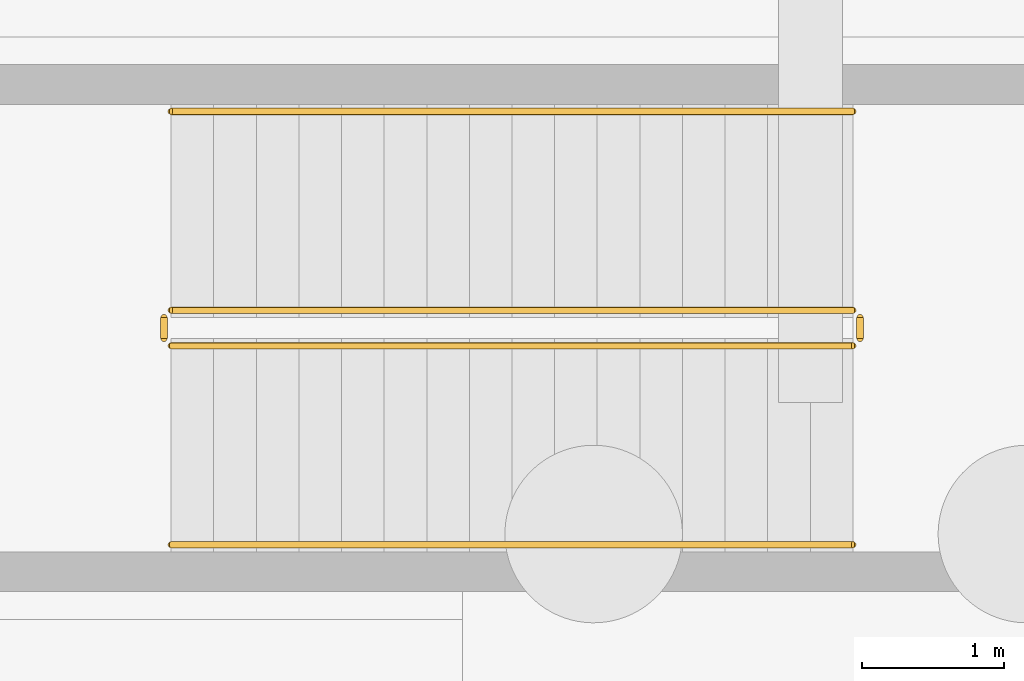
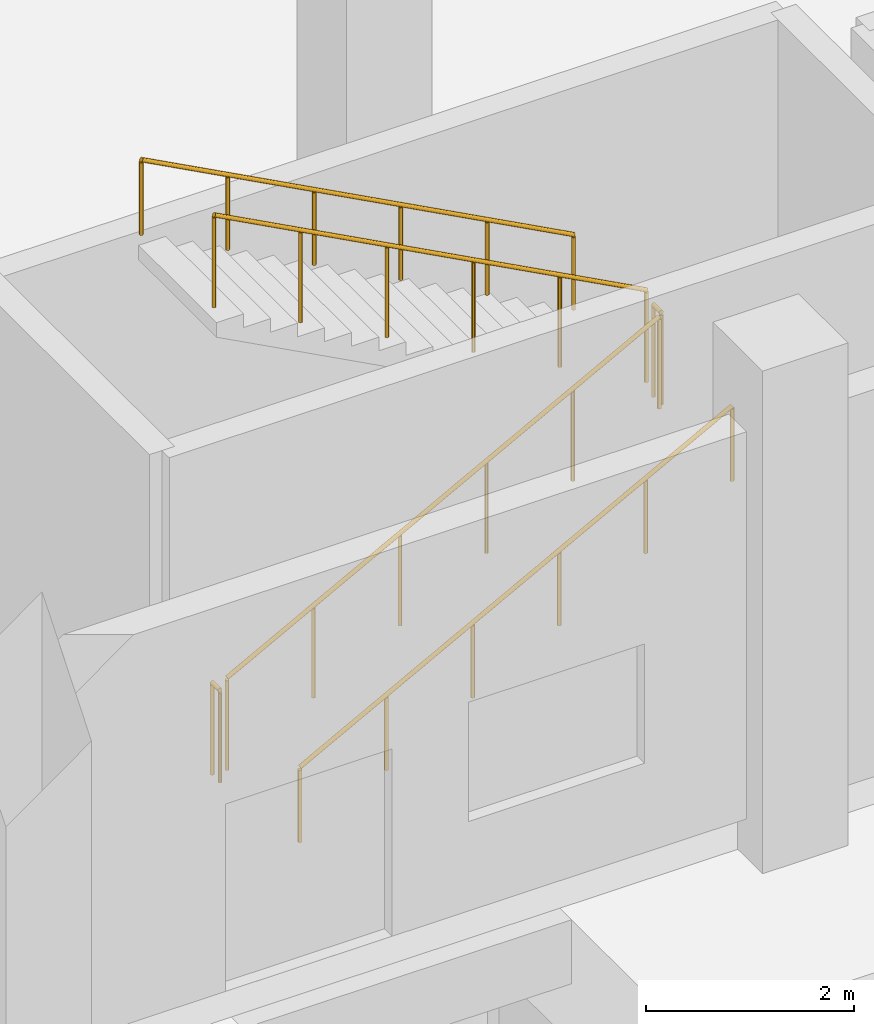
# One storey, part 79 of 83: 6 railings.
"""IFC4 building model written with IfcOpenShell, lengths in metres."""

from ifc_helpers import new_model, si_unit, direction, frame, origin, origin_2d, place, context, subcontext, project, spatial, circle, extrude, material, type_object, element, save


model = new_model("IFC4")

# Units and contexts
model_context = context("Model", 3, precision=1e-05, world=origin(), true_north=direction((0.0, 1.0)))
body_context = subcontext(model_context, "Body", "Model", "MODEL_VIEW")
ifc_project = project(units=[si_unit("LENGTHUNIT", "METRE"), si_unit("AREAUNIT", "SQUARE_METRE"), si_unit("VOLUMEUNIT", "CUBIC_METRE"), si_unit("PLANEANGLEUNIT", "RADIAN"), si_unit("MASSUNIT", "GRAM", prefix="KILO"), si_unit("THERMODYNAMICTEMPERATUREUNIT", "KELVIN"), si_unit("POWERUNIT", "WATT")], contexts=[model_context])

# Site, building, storey
site_placement = place(None, origin())
site = spatial("IfcSite", under=ifc_project, at=site_placement, CompositionType="ELEMENT")
building_placement = place(site_placement, origin())
building = spatial("IfcBuilding", under=site, at=building_placement, Name="Mavoryth Pier Ferry Terminal", CompositionType="ELEMENT")
storey_placement = place(building_placement, origin())
storey = spatial("IfcBuildingStorey", under=building, at=storey_placement, Name="L00", CompositionType="ELEMENT", Elevation=0.0)

# Railings
ifc_material_1 = material(Name="Painted Galvanised Steel Balustrade", Category="steel")
railing_type_1 = type_object("IfcRailingType", Name="Guard-Stair-Steel1100", PredefinedType="GUARDRAIL", material=ifc_material_1)
railing_1_placement = place(storey_placement, frame((138.300048828125, 16.85009765625, 0.159912109375)))
element("IfcRailing", 1, at=railing_1_placement, inside=storey, type_object=railing_type_1, Name="L00 ST09 stair guard 1", PredefinedType="GUARDRAIL", context=body_context, shape_type="SweptSolid", body=[
    extrude(circle(Radius=0.02392578125, at=origin_2d()), frame((0.0, 0.0, 1.076171875), z_axis=(0.882350456557, 0.0, 0.470592893925), x_axis=(0.0, 1.0, 0.0)), (0.0, 0.0, 1.0), 5.440185546875),
    extrude(circle(Radius=0.02099609375, at=origin_2d()), origin(), (0.0, 0.0, 1.0), 1.052001953125),
    extrude(circle(Radius=0.02099609375, at=origin_2d()), frame((0.9599609375, 0.0, 0.511962890625)), (0.0, 0.0, 1.0), 1.052001953125),
    extrude(circle(Radius=0.02099609375, at=origin_2d()), frame((1.919921875, 0.0, 1.02392578125)), (0.0, 0.0, 1.0), 1.052001953125),
    extrude(circle(Radius=0.02099609375, at=origin_2d()), frame((2.880126953125, 0.0, 1.5361328125)), (0.0, 0.0, 1.0), 1.052001953125),
    extrude(circle(Radius=0.02099609375, at=origin_2d()), frame((3.840087890625, 0.0, 2.048095703125)), (0.0, 0.0, 1.0), 1.052001953125),
    extrude(circle(Radius=0.02099609375, at=origin_2d()), frame((4.800048828125, 0.0, 2.56005859375)), (0.0, 0.0, 1.0), 1.052001953125),
])
railing_2_placement = place(storey_placement, frame((143.14990234375, 16.89990234375, 2.719970703125)))
element("IfcRailing", 2, at=railing_2_placement, inside=storey, type_object=railing_type_1, Name="L00 ST09 stair guard 2", PredefinedType="GUARDRAIL", context=body_context, shape_type="SweptSolid", body=[
    extrude(circle(Radius=0.02392578125, at=origin_2d()), frame((0.0, 0.0, 1.076171875), z_axis=(0.0, 1.0, 0.0), x_axis=(-1.0, 0.0, 0.0)), (0.0, 0.0, 1.0), 0.150146484375),
    extrude(circle(Radius=0.02099609375, at=origin_2d()), origin(), (0.0, 0.0, 1.0), 1.052001953125),
    extrude(circle(Radius=0.02099609375, at=origin_2d()), frame((0.0, 0.150146484375, 0.0)), (0.0, 0.0, 1.0), 1.052001953125),
])
railing_3_placement = place(storey_placement, frame((143.10009765625, 17.10009765625, 2.8798828125)))
element("IfcRailing", 3, at=railing_3_placement, inside=storey, type_object=railing_type_1, Name="L00 ST09 stair guard 3", PredefinedType="GUARDRAIL", context=body_context, shape_type="SweptSolid", body=[
    extrude(circle(Radius=0.02392578125, at=origin_2d()), frame((0.0, 0.0, 1.076171875), z_axis=(-0.882350456557, 0.0, 0.470592893925), x_axis=(0.0, -1.0, 0.0)), (0.0, 0.0, 1.0), 5.440185546875),
    extrude(circle(Radius=0.02099609375, at=origin_2d()), origin(), (0.0, 0.0, 1.0), 1.052001953125),
    extrude(circle(Radius=0.02099609375, at=origin_2d()), frame((-0.9599609375, 0.0, 0.511962890625)), (0.0, 0.0, 1.0), 1.052001953125),
    extrude(circle(Radius=0.02099609375, at=origin_2d()), frame((-1.919921875, 0.0, 1.02392578125)), (0.0, 0.0, 1.0), 1.052001953125),
    extrude(circle(Radius=0.02099609375, at=origin_2d()), frame((-2.880126953125, 0.0, 1.5361328125)), (0.0, 0.0, 1.0), 1.052001953125),
    extrude(circle(Radius=0.02099609375, at=origin_2d()), frame((-3.840087890625, 0.0, 2.048095703125)), (0.0, 0.0, 1.0), 1.052001953125),
    extrude(circle(Radius=0.02099609375, at=origin_2d()), frame((-4.800048828125, 0.0, 2.56005859375)), (0.0, 0.0, 1.0), 1.052001953125),
])
railing_4_placement = place(storey_placement, frame((138.25, 16.89990234375, 0.0)))
element("IfcRailing", 4, at=railing_4_placement, inside=storey, type_object=railing_type_1, Name="L00 ST09 stair guard 4", PredefinedType="GUARDRAIL", context=body_context, shape_type="SweptSolid", body=[
    extrude(circle(Radius=0.02392578125, at=origin_2d()), frame((0.0, 0.0, 1.076171875), z_axis=(0.0, 1.0, 0.0), x_axis=(-1.0, 0.0, 0.0)), (0.0, 0.0, 1.0), 0.150146484375),
    extrude(circle(Radius=0.02099609375, at=origin_2d()), origin(), (0.0, 0.0, 1.0), 1.052001953125),
    extrude(circle(Radius=0.02099609375, at=origin_2d()), frame((0.0, 0.150146484375, 0.0)), (0.0, 0.0, 1.0), 1.052001953125),
])
ifc_material_2 = material(Name="Brushed Stainless Steel Tubular Handrail", Category="steel")
railing_type_2 = type_object("IfcRailingType", Name="Handrail-Stair-SS900", PredefinedType="HANDRAIL", material=ifc_material_2)
railing_5_placement = place(storey_placement, frame((138.300048828125, 15.449951171875, 0.159912109375)))
element("IfcRailing", 5, at=railing_5_placement, inside=storey, type_object=railing_type_2, Name="L00 ST09 stair handrail 1", PredefinedType="HANDRAIL", context=body_context, shape_type="SweptSolid", body=[
    extrude(circle(Radius=0.02392578125, at=origin_2d()), frame((0.0, 0.0, 0.8759765625), z_axis=(0.882350456557, 0.0, 0.470592893925), x_axis=(0.0, 1.0, 0.0)), (0.0, 0.0, 1.0), 5.440185546875),
    extrude(circle(Radius=0.02099609375, at=origin_2d()), origin(), (0.0, 0.0, 1.0), 0.851806640625),
    extrude(circle(Radius=0.02099609375, at=origin_2d()), frame((0.9599609375, 0.0, 0.511962890625)), (0.0, 0.0, 1.0), 0.851806640625),
    extrude(circle(Radius=0.02099609375, at=origin_2d()), frame((1.919921875, 0.0, 1.02392578125)), (0.0, 0.0, 1.0), 0.851806640625),
    extrude(circle(Radius=0.02099609375, at=origin_2d()), frame((2.880126953125, 0.0, 1.5361328125)), (0.0, 0.0, 1.0), 0.851806640625),
    extrude(circle(Radius=0.02099609375, at=origin_2d()), frame((3.840087890625, 0.0, 2.048095703125)), (0.0, 0.0, 1.0), 0.851806640625),
    extrude(circle(Radius=0.02099609375, at=origin_2d()), frame((4.800048828125, 0.0, 2.56005859375)), (0.0, 0.0, 1.0), 0.851806640625),
])
railing_6_placement = place(storey_placement, frame((143.10009765625, 18.5, 2.8798828125)))
element("IfcRailing", 6, at=railing_6_placement, inside=storey, type_object=railing_type_2, Name="L00 ST09 stair handrail 2", PredefinedType="HANDRAIL", context=body_context, shape_type="SweptSolid", body=[
    extrude(circle(Radius=0.02392578125, at=origin_2d()), frame((0.0, 0.0, 0.8759765625), z_axis=(-0.882350456557, 0.0, 0.470592893925), x_axis=(0.0, -1.0, 0.0)), (0.0, 0.0, 1.0), 5.440185546875),
    extrude(circle(Radius=0.02099609375, at=origin_2d()), origin(), (0.0, 0.0, 1.0), 0.851806640625),
    extrude(circle(Radius=0.02099609375, at=origin_2d()), frame((-0.9599609375, 0.0, 0.511962890625)), (0.0, 0.0, 1.0), 0.851806640625),
    extrude(circle(Radius=0.02099609375, at=origin_2d()), frame((-1.919921875, 0.0, 1.02392578125)), (0.0, 0.0, 1.0), 0.851806640625),
    extrude(circle(Radius=0.02099609375, at=origin_2d()), frame((-2.880126953125, 0.0, 1.5361328125)), (0.0, 0.0, 1.0), 0.851806640625),
    extrude(circle(Radius=0.02099609375, at=origin_2d()), frame((-3.840087890625, 0.0, 2.048095703125)), (0.0, 0.0, 1.0), 0.851806640625),
    extrude(circle(Radius=0.02099609375, at=origin_2d()), frame((-4.800048828125, 0.0, 2.56005859375)), (0.0, 0.0, 1.0), 0.851806640625),
])

save(model, "model.ifc")
